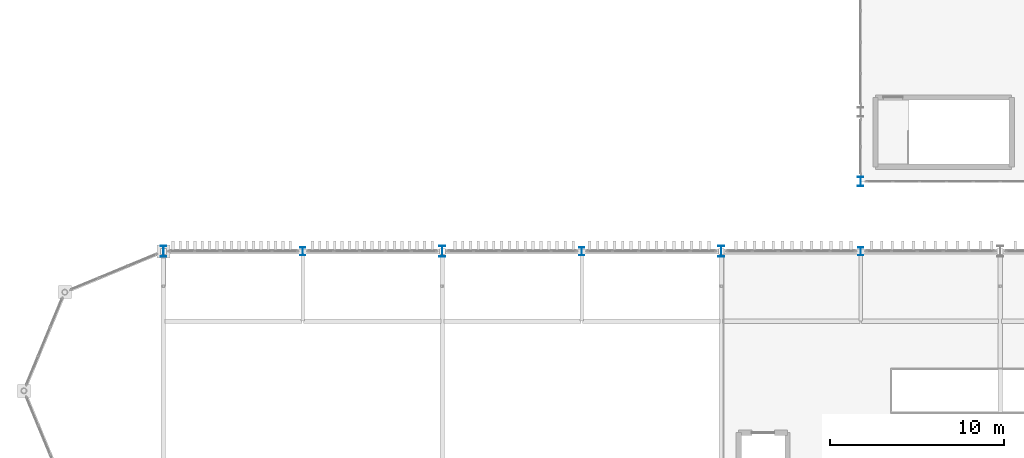
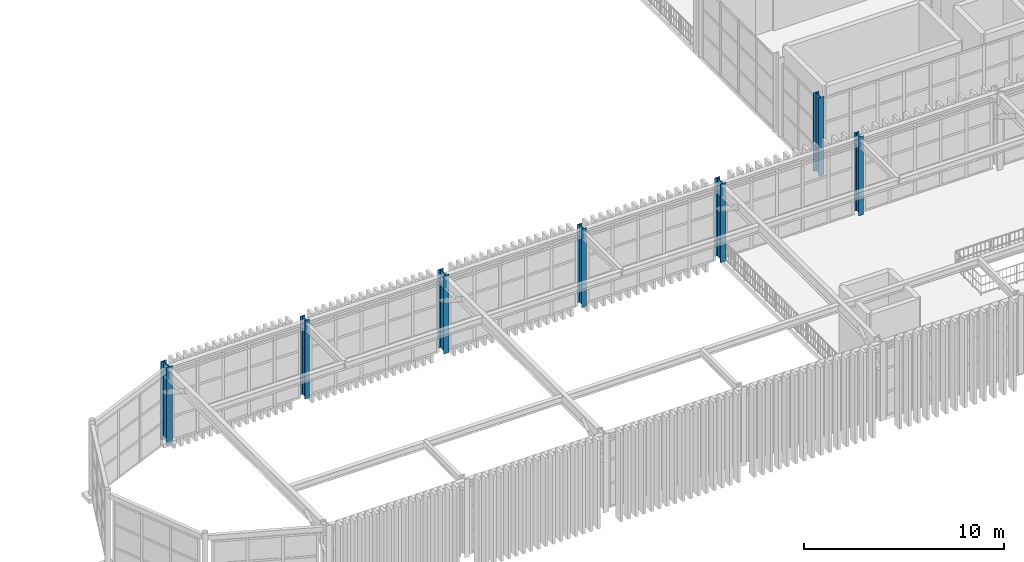
# One storey, part 7 of 61: 7 columns.
"""IFC4 building model written with IfcOpenShell, lengths in metres."""

from ifc_helpers import new_model, si_unit, direction, frame, origin, origin_2d, place, context, subcontext, project, spatial, i_section, extrude, material, material_profile, profile_set, type_object, element, save


model = new_model("IFC4")

# Units and contexts
model_context = context("Model", 3, precision=1e-05, world=origin(), true_north=direction((0.0, 1.0)))
body_context = subcontext(model_context, "Body", "Model", "MODEL_VIEW")
ifc_project = project(units=[si_unit("LENGTHUNIT", "METRE"), si_unit("AREAUNIT", "SQUARE_METRE"), si_unit("VOLUMEUNIT", "CUBIC_METRE"), si_unit("PLANEANGLEUNIT", "RADIAN"), si_unit("MASSUNIT", "GRAM", prefix="KILO")], contexts=[model_context])

# Site, building, storey
site_placement = place(None, origin())
site = spatial("IfcSite", under=ifc_project, at=site_placement, CompositionType="ELEMENT")
building_placement = place(site_placement, origin())
building = spatial("IfcBuilding", under=site, at=building_placement, Name="Serraluz Foothill Cableway Terminal", CompositionType="ELEMENT")
storey_placement = place(building_placement, frame((0.0, 0.0, 15.0)))
storey = spatial("IfcBuildingStorey", under=building, at=storey_placement, Name="L03", CompositionType="ELEMENT", Elevation=15.0)

# Columns
ifc_material = material(Name="Steel ASTM A992 Grade 50", Category="steel")
ifc_material_profile_1 = material_profile(ifc_material, i_section(OverallWidth=0.282958984375, OverallDepth=0.471923828125, WebThickness=0.013671875, FlangeThickness=0.022216796875, FilletRadius=0.014892578125, at=origin_2d()), Name="W18X97")
ifc_profile_set_1 = profile_set([ifc_material_profile_1], Name="Steel ASTM A992 Grade 50")
column_type_1 = type_object("IfcColumnType", Name="TYP-COL-W18X97", PredefinedType="COLUMN", material=ifc_profile_set_1)
for number, where, z_axis, x_axis, name in (
    (1, (48.0, 72.0, 0.0), (0.0, 0.0, 1.0), (1.0, 0.0, 0.0), "Column COL-V1-N-48-L03"),
    (2, (64.0, 72.0, 0.0), (0.0, 0.0, 1.0), (1.0, 0.0, 0.0), "Column COL-V1-N-64-L03"),
    (3, (80.0, 72.0, 0.0), (0.0, 0.0, 1.0), (1.0, 0.0, 0.0), "Column COL-V1-N-80-L03"),
):
    element("IfcColumn", number, at=place(storey_placement, frame(where, z_axis=z_axis, x_axis=x_axis)), inside=storey, type_object=column_type_1, Name=name, PredefinedType="COLUMN", context=body_context, shape_type="SweptSolid", body=[
        extrude(i_section(OverallWidth=0.282958984375, OverallDepth=0.471923828125, WebThickness=0.013671875, FlangeThickness=0.022216796875, FilletRadius=0.014892578125, at=origin_2d()), origin(), (0.0, 0.0, 1.0), 4.800048828125),
    ])
ifc_material_profile_2 = material_profile(ifc_material, i_section(OverallWidth=0.31201171875, OverallDepth=0.54296875, WebThickness=0.0126953125, FlangeThickness=0.020263671875, FilletRadius=0.01611328125, at=origin_2d()), Name="W21X101")
ifc_profile_set_2 = profile_set([ifc_material_profile_2], Name="Steel ASTM A992 Grade 50")
column_type_2 = type_object("IfcColumnType", Name="TYP-COL-W21X101", PredefinedType="COLUMN", material=ifc_profile_set_2)
column_placement = place(storey_placement, frame((80.0, 76.0, 0.0), z_axis=(0.0, 0.0, 1.0), x_axis=(1.0, 0.0, 0.0)))
element("IfcColumn", 4, at=column_placement, inside=storey, type_object=column_type_2, Name="Column COL-V4-80-760-L03", PredefinedType="COLUMN", context=body_context, shape_type="SweptSolid", body=[
    extrude(i_section(OverallWidth=0.31201171875, OverallDepth=0.54296875, WebThickness=0.0126953125, FlangeThickness=0.020263671875, FilletRadius=0.01611328125, at=origin_2d()), origin(), (0.0, 0.0, 1.0), 4.800048828125),
])
ifc_material_profile_3 = material_profile(ifc_material, i_section(OverallWidth=0.324951171875, OverallDepth=0.615966796875, WebThickness=0.013916015625, FlangeThickness=0.021484375, FilletRadius=0.01806640625, at=origin_2d()), Name="W24X117")
ifc_profile_set_3 = profile_set([ifc_material_profile_3], Name="Steel ASTM A992 Grade 50")
column_type_3 = type_object("IfcColumnType", Name="TYP-COL-W24X117", PredefinedType="COLUMN", material=ifc_profile_set_3)
for number, where, z_axis, x_axis, name in (
    (5, (40.0, 72.0, 0.0), (0.0, 0.0, 1.0), (1.0, 0.0, 0.0), "Column COL-V1-N-40-L03"),
    (6, (56.0, 72.0, 0.0), (0.0, 0.0, 1.0), (1.0, 0.0, 0.0), "Column COL-V1-N-56-L03"),
    (7, (72.0, 72.0, 0.0), (0.0, 0.0, 1.0), (1.0, 0.0, 0.0), "Column COL-V1-N-72-L03"),
):
    element("IfcColumn", number, at=place(storey_placement, frame(where, z_axis=z_axis, x_axis=x_axis)), inside=storey, type_object=column_type_3, Name=name, PredefinedType="COLUMN", context=body_context, shape_type="SweptSolid", body=[
        extrude(i_section(OverallWidth=0.324951171875, OverallDepth=0.615966796875, WebThickness=0.013916015625, FlangeThickness=0.021484375, FilletRadius=0.01806640625, at=origin_2d()), origin(), (0.0, 0.0, 1.0), 4.800048828125),
    ])

save(model, "model.ifc")
